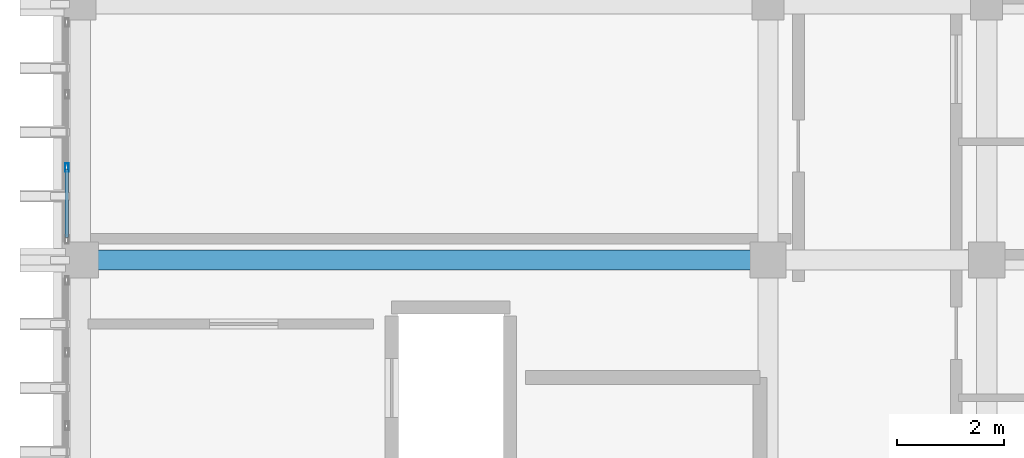
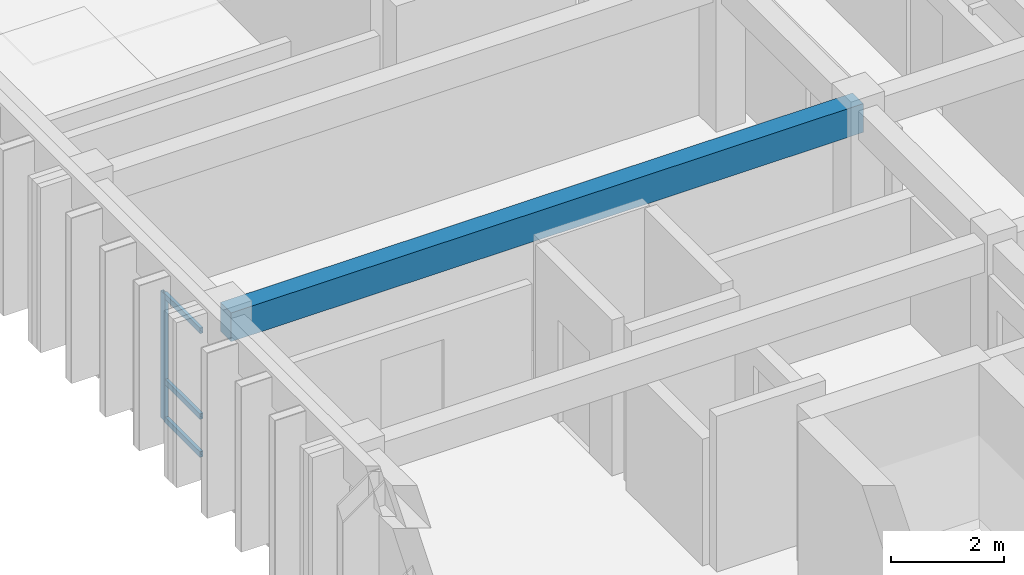
# One storey, part 21 of 53: 4 members, 1 beam, 1 element without a shape of its own.
"""IFC4 building model written with IfcOpenShell, lengths in metres."""

from ifc_helpers import new_model, si_unit, direction, frame, origin, origin_2d, place, context, subcontext, project, spatial, rectangle, hollow_rectangle, extrude, material, layer, layer_set, material_profile, profile_set, type_object, element, aggregate, save


model = new_model("IFC4")

# Units and contexts
model_context = context("Model", 3, precision=1e-05, world=origin(), true_north=direction((0.0, 1.0)))
body_context = subcontext(model_context, "Body", "Model", "MODEL_VIEW")
ifc_project = project(units=[si_unit("LENGTHUNIT", "METRE"), si_unit("AREAUNIT", "SQUARE_METRE"), si_unit("VOLUMEUNIT", "CUBIC_METRE"), si_unit("PLANEANGLEUNIT", "RADIAN"), si_unit("MASSUNIT", "GRAM", prefix="KILO")], contexts=[model_context])

# Site, building, storey
site_placement = place(None, origin())
site = spatial("IfcSite", under=ifc_project, at=site_placement, CompositionType="ELEMENT")
building_placement = place(site_placement, origin())
building = spatial("IfcBuilding", under=site, at=building_placement, Name="Nakhvara Creek Congress Hotel", CompositionType="ELEMENT")
storey_placement = place(building_placement, frame((0.0, 0.0, 35.39990234375)))
storey = spatial("IfcBuildingStorey", under=building, at=storey_placement, Name="L08", CompositionType="ELEMENT", Elevation=35.39990234375)

# Beam
ifc_material_1 = material(Name="Concrete C40/50", Category="concrete")
ifc_material_profile_1 = material_profile(ifc_material_1, rectangle(XDim=0.3798828125, YDim=0.6201171875, at=origin_2d()), Name="RC-BM 380x620", Category="LoadBearing")
ifc_profile_set_1 = profile_set([ifc_material_profile_1], Name="Concrete C40/50")
beam_type = type_object("IfcBeamType", Name="BM-RC-380X620", PredefinedType="BEAM", material=ifc_profile_set_1)
beam_placement = place(storey_placement, frame((149.449951171875, 96.0, 3.050048828125), z_axis=(1.0, 0.0, 0.0), x_axis=(0.0, 1.0, 0.0)))
element("IfcBeam", 1, at=beam_placement, inside=storey, type_object=beam_type, Name="Beam B10-L08-2440", PredefinedType="BEAM", context=body_context, shape_type="SweptSolid", body=[
    extrude(rectangle(XDim=0.3798828125, YDim=0.6201171875, at=origin_2d()), origin(), (0.0, 0.0, 1.0), 12.900146484375),
])

# Curtain wall, members
ifc_material_2 = material(Name="Bronze-anodised aluminium AW-6063-T6 and double-silver low-E glass", Category="aluminium")
ifc_layer = layer(ifc_material_2, 0.199951171875)
ifc_layer_set = layer_set([ifc_layer], Name="Bronze-anodised aluminium AW-6063-T6 and double-silver low-E glass")
curtain_wall_type = type_object("IfcCurtainWallType", Name="CW-HTL-UNIT", PredefinedType="USERDEFINED", material=ifc_layer_set)
curtain_wall_placement = place(storey_placement, origin())
curtain_wall = element("IfcCurtainWall", 2, at=curtain_wall_placement, inside=storey, type_object=curtain_wall_type, Name="Curtain Wall CW288", ObjectType="UNITISED", PredefinedType="USERDEFINED")
ifc_material_3 = material(Name="Bronze-anodised aluminium AW-6063-T6", Category="aluminium")
ifc_material_profile_2 = material_profile(ifc_material_3, hollow_rectangle(XDim=0.06494140625, YDim=0.159912109375, WallThickness=0.00390625, at=origin_2d()), Name="ALU-MULL 65x160x4", Category="LoadBearing")
ifc_profile_set_2 = profile_set([ifc_material_profile_2], Name="Bronze-anodised aluminium AW-6063-T6")
member_type_1 = type_object("IfcMemberType", Name="CW-MULL-160", PredefinedType="MULLION", material=ifc_profile_set_2)
member_1_placement = place(storey_placement, frame((149.199951171875, 97.731689453125, 0.0), z_axis=(0.0, 0.0, 1.0), x_axis=(-1.0, 0.0, 0.0)))
member_1 = element("IfcMember", 3, at=member_1_placement, type_object=member_type_1, Name="CW288 mullion 2", PredefinedType="MULLION", context=body_context, shape_type="SweptSolid", body=[
    extrude(hollow_rectangle(XDim=0.06494140625, YDim=0.159912109375, WallThickness=0.00390625, at=origin_2d()), origin(), (0.0, 0.0, 1.0), 2.732177734375),
])
ifc_material_profile_3 = material_profile(ifc_material_3, hollow_rectangle(XDim=0.06494140625, YDim=0.1201171875, WallThickness=0.00390625, at=origin_2d()), Name="ALU-TRAN 65x120x4", Category="LoadBearing")
ifc_profile_set_3 = profile_set([ifc_material_profile_3], Name="Bronze-anodised aluminium AW-6063-T6")
member_type_2 = type_object("IfcMemberType", Name="CW-TRAN-120", PredefinedType="USERDEFINED", material=ifc_profile_set_3)
member_2_placement = place(storey_placement, frame((149.199951171875, 96.419921875, 0.03271484375), z_axis=(0.0, 1.0, 0.0), x_axis=(-1.0, 0.0, 0.0)))
member_2 = element("IfcMember", 4, at=member_2_placement, type_object=member_type_2, Name="CW288 transom 1.1", ObjectType="TRANSOM", PredefinedType="USERDEFINED", context=body_context, shape_type="SweptSolid", body=[
    extrude(hollow_rectangle(XDim=0.06494140625, YDim=0.1201171875, WallThickness=0.00390625, at=origin_2d()), origin(), (0.0, 0.0, 1.0), 1.279296875),
])
member_3_placement = place(storey_placement, frame((149.199951171875, 96.419921875, 0.85009765625), z_axis=(0.0, 1.0, 0.0), x_axis=(-1.0, 0.0, 0.0)))
member_3 = element("IfcMember", 5, at=member_3_placement, type_object=member_type_2, Name="CW288 transom 1.2", ObjectType="TRANSOM", PredefinedType="USERDEFINED", context=body_context, shape_type="SweptSolid", body=[
    extrude(hollow_rectangle(XDim=0.06494140625, YDim=0.1201171875, WallThickness=0.00390625, at=origin_2d()), origin(), (0.0, 0.0, 1.0), 1.279296875),
])
member_4_placement = place(storey_placement, frame((149.199951171875, 96.419921875, 2.69970703125), z_axis=(0.0, 1.0, 0.0), x_axis=(-1.0, 0.0, 0.0)))
member_4 = element("IfcMember", 6, at=member_4_placement, type_object=member_type_2, Name="CW288 transom 1.3", ObjectType="TRANSOM", PredefinedType="USERDEFINED", context=body_context, shape_type="SweptSolid", body=[
    extrude(hollow_rectangle(XDim=0.06494140625, YDim=0.1201171875, WallThickness=0.00390625, at=origin_2d()), origin(), (0.0, 0.0, 1.0), 1.279296875),
])
aggregate(curtain_wall, [member_1, member_2, member_3, member_4])

save(model, "model.ifc")
